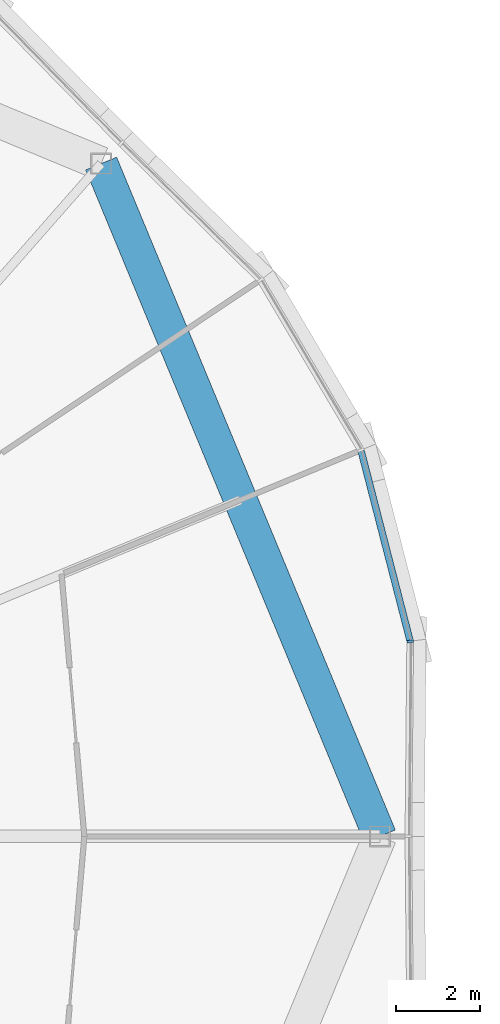
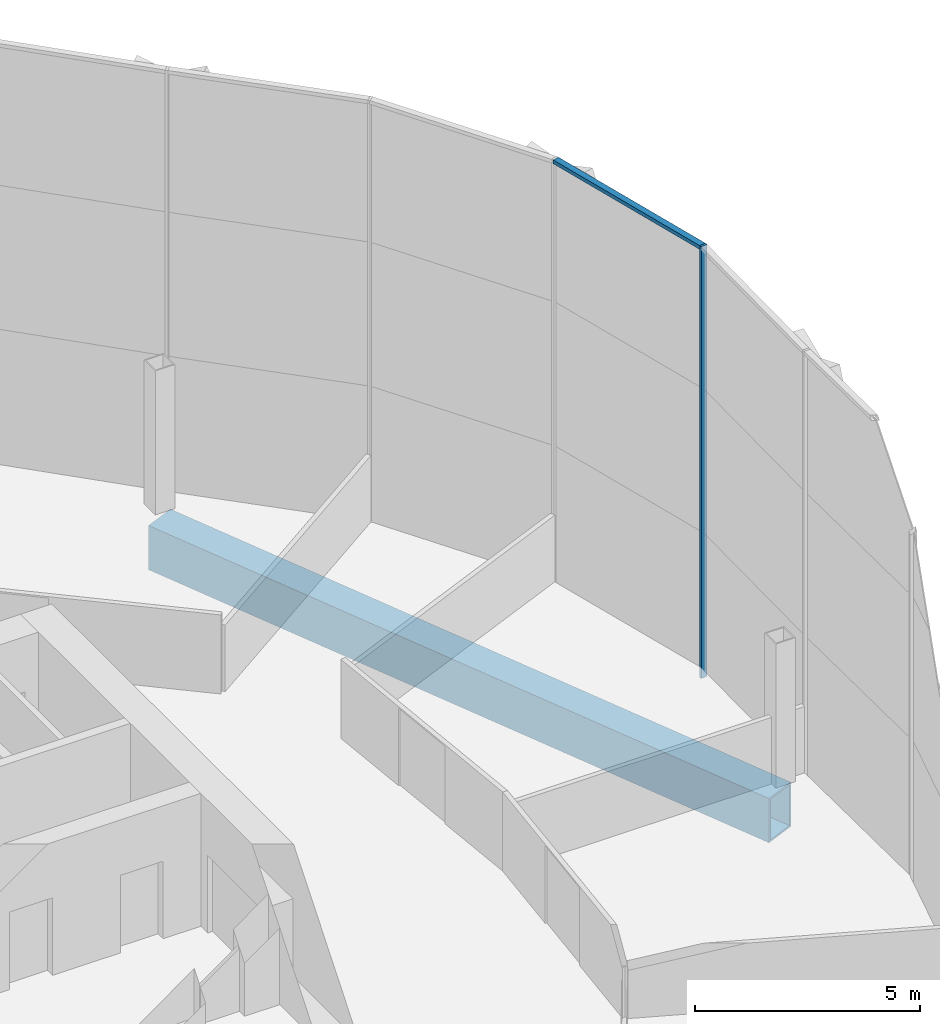
# One storey, part 7 of 26: 2 members, 1 beam, 1 element without a shape of its own.
"""IFC4 building model written with IfcOpenShell, lengths in metres."""

import ifcopenshell
import ifcopenshell.guid

model = None  # the IFC model being written
_history = None  # IfcOwnerHistory: only IFC2X3 demands one
_inside = {}  # id of a spatial element -> (the spatial element, [elements in it])
_under = {}  # id of a project, library or spatial element -> (it, [spatial elements below it])
_declared = {}  # id of a project -> (the project, [libraries it declares])
_typed = {}  # id of a type object -> (the type object, [elements of that type])
_made_of = {}  # id of a material, layer set ... -> (it, [elements and type objects made of it])


def new_model(schema):
    """Start an empty IFC model of exactly this schema.

    Asked for "IFC4X3", IfcOpenShell would pick the latest addendum, in which some entities
    have other attributes; the version numbers below select the first issue.
    IFC2X3 requires an IfcOwnerHistory on every rooted entity: one is made here for all.
    """
    global model, _history
    if schema == "IFC4X3":
        model = ifcopenshell.file(schema_version=(4, 3, 0, 0))
    else:
        model = ifcopenshell.file(schema=schema)
    _inside.clear()
    _under.clear()
    _declared.clear()
    _typed.clear()
    _made_of.clear()
    _history = None
    if model.schema == "IFC2X3":
        org = make("IfcOrganization", Name="unknown")
        user = make(
            "IfcPersonAndOrganization",
            ThePerson=make("IfcPerson", FamilyName="unknown"),
            TheOrganization=org,
        )
        app = make(
            "IfcApplication",
            ApplicationDeveloper=org,
            Version="unknown",
            ApplicationFullName="unknown",
            ApplicationIdentifier="unknown",
        )
        _history = make(
            "IfcOwnerHistory",
            OwningUser=user,
            OwningApplication=app,
            ChangeAction="ADDED",
            CreationDate=0,
        )
    return model


def make(cls, **values):
    """One entity of the class cls with the attributes given. An attribute that is None is left unset."""
    return model.create_entity(
        cls, **{name: value for name, value in values.items() if value is not None}
    )


def rooted(cls, **values):
    """An entity with a GlobalId (a new one), such as an element, a storey or a relation."""
    return make(cls, GlobalId=ifcopenshell.guid.new(), OwnerHistory=_history, **values)


def si_unit(unit_type, name, prefix=None):
    """IfcSIUnit, for example si_unit("LENGTHUNIT", "METRE", prefix="MILLI")."""
    return make("IfcSIUnit", UnitType=unit_type, Prefix=prefix, Name=name)


def assignment(units):
    """IfcUnitAssignment: the units of a project."""
    return None if units is None else make("IfcUnitAssignment", Units=units)


def point(xyz):
    """IfcCartesianPoint."""
    return None if xyz is None else make("IfcCartesianPoint", Coordinates=xyz)


def direction(xyz):
    """IfcDirection."""
    return None if xyz is None else make("IfcDirection", DirectionRatios=xyz)


def frame(location, z_axis=None, x_axis=None):
    """IfcAxis2Placement3D, a coordinate frame: its origin and axes. An axis left out is left unset."""
    return make(
        "IfcAxis2Placement3D",
        Location=point(location),
        Axis=direction(z_axis),
        RefDirection=direction(x_axis),
    )


def frame_2d(location, x_axis=None):
    """IfcAxis2Placement2D, a coordinate frame in the plane: its origin and x axis."""
    return make(
        "IfcAxis2Placement2D", Location=point(location), RefDirection=direction(x_axis)
    )


def origin():
    """The frame at (0, 0, 0) with its axes left unset."""
    return frame((0.0, 0.0, 0.0))


def origin_2d():
    """The frame at (0, 0) in the plane with its x axis left unset."""
    return frame_2d((0.0, 0.0))


def place(relative_to, where):
    """IfcLocalPlacement: puts the frame where relative to a parent placement (None: the world)."""
    return make(
        "IfcLocalPlacement", PlacementRelTo=relative_to, RelativePlacement=where
    )


def context(
    kind, dimensions, precision=None, world=None, true_north=None, identifier=None
):
    """IfcGeometricRepresentationContext, for example the 3D "Model" context."""
    return make(
        "IfcGeometricRepresentationContext",
        ContextIdentifier=identifier,
        ContextType=kind,
        CoordinateSpaceDimension=dimensions,
        Precision=precision,
        WorldCoordinateSystem=world,
        TrueNorth=true_north,
    )


def subcontext(parent, identifier, kind, view, scale=None):
    """IfcGeometricRepresentationSubContext, for example "Body" below "Model"."""
    return make(
        "IfcGeometricRepresentationSubContext",
        ContextIdentifier=identifier,
        ContextType=kind,
        ParentContext=parent,
        TargetScale=scale,
        TargetView=view,
    )


def project(units=None, contexts=None):
    """IfcProject with its units and contexts."""
    return rooted(
        "IfcProject",
        Name="project",
        RepresentationContexts=contexts,
        UnitsInContext=assignment(units),
    )


def spatial(cls, under=None, at=None, **own):
    """A site, building, storey or space (cls), placed at a placement, below another one or the project."""
    s = rooted(cls, ObjectPlacement=at, **own)
    if under is not None:
        _under.setdefault(under.id(), (under, []))[1].append(s)
    return s


def profile(cls, at=None, kind="AREA", **sizes):
    """A parametric profile (cls). Its sizes go by their IFC names, for example OverallWidth=200.0."""
    return make(cls, ProfileType=kind, Position=at, **sizes)


def rectangle(**sizes):
    """IfcRectangleProfileDef."""
    return profile("IfcRectangleProfileDef", **sizes)


def hollow_rectangle(**sizes):
    """IfcRectangleHollowProfileDef."""
    return profile("IfcRectangleHollowProfileDef", **sizes)


def extrude(swept, where, along, depth):
    """IfcExtrudedAreaSolid: the profile swept, set in the frame where, extruded along a direction by depth."""
    return make(
        "IfcExtrudedAreaSolid",
        SweptArea=swept,
        Position=where,
        ExtrudedDirection=direction(along),
        Depth=depth,
    )


def shape(context_of_items, identifier, shape_type, items):
    """IfcShapeRepresentation: the items that make up one representation, for example the "Body"."""
    return make(
        "IfcShapeRepresentation",
        ContextOfItems=context_of_items,
        RepresentationIdentifier=identifier,
        RepresentationType=shape_type,
        Items=items,
    )


def material(Name=None, Category=None):
    """IfcMaterial."""
    return make("IfcMaterial", Name=Name, Category=Category)


def material_profile(
    of_material, cross_section, Name=None, Category=None, Priority=None
):
    """IfcMaterialProfile: a cross section and its material."""
    return make(
        "IfcMaterialProfile",
        Name=Name,
        Material=of_material,
        Profile=cross_section,
        Priority=Priority,
        Category=Category,
    )


def profile_set(profiles, Name=None, composite=None):
    """IfcMaterialProfileSet."""
    return make(
        "IfcMaterialProfileSet",
        Name=Name,
        MaterialProfiles=profiles,
        CompositeProfile=composite,
    )


def made_of(thing, what):
    """Note that an element or type object is made of a material, layer set ...; save() writes the relation."""
    if what is not None:
        _made_of.setdefault(what.id(), (what, []))[1].append(thing)
    return thing


def type_object(cls, material=None, **own):
    """A type object (cls), such as IfcWallType, which elements share."""
    return made_of(rooted(cls, **own), material)


def element(
    cls,
    number,
    at=None,
    inside=None,
    cuts=None,
    type_object=None,
    material=None,
    context=None,
    identifier="Body",
    shape_type=None,
    held_by="IfcProductDefinitionShape",
    body=None,
    shapes=None,
    **own,
):
    """One element of the class cls, such as IfcWall. Its Tag is "e" and its number.

    at: its placement. inside: the storey or other place that contains it. cuts: it is an
    opening in that element (IfcRelVoidsElement). A single representation is given by context,
    identifier, shape_type and body (its items); several are given by shapes. held_by: the class
    of the entity that holds the representations. save() writes the other relations.
    """
    e = rooted(cls, Tag="e%d" % number, ObjectPlacement=at, **own)
    if body is not None:
        shapes = [shape(context, identifier, shape_type, body)]
    if shapes is not None:
        e.Representation = make(held_by, Representations=shapes)
    if inside is not None:
        _inside.setdefault(inside.id(), (inside, []))[1].append(e)
    if cuts is not None:
        rooted(
            "IfcRelVoidsElement", RelatingBuildingElement=cuts, RelatedOpeningElement=e
        )
    if type_object is not None:
        _typed.setdefault(type_object.id(), (type_object, []))[1].append(e)
    return made_of(e, material)


def aggregate(whole, parts):
    """IfcRelAggregates: a whole, such as a stair, and the parts it consists of."""
    return rooted("IfcRelAggregates", RelatingObject=whole, RelatedObjects=parts)


def save(model, path):
    """Write the relations noted so far, then the file.

    IfcRelAggregates (storeys below a building ...), IfcRelContainedInSpatialStructure (elements
    in a storey), IfcRelDefinesByType, IfcRelAssociatesMaterial and IfcRelDeclares: one each for
    every whole, place, type object, material and project.
    """
    for whole, parts in _under.values():
        aggregate(whole, parts)
    for where, things in _inside.values():
        rooted(
            "IfcRelContainedInSpatialStructure",
            RelatedElements=things,
            RelatingStructure=where,
        )
    for kind, things in _typed.values():
        rooted("IfcRelDefinesByType", RelatedObjects=things, RelatingType=kind)
    for what, things in _made_of.values():
        rooted("IfcRelAssociatesMaterial", RelatedObjects=things, RelatingMaterial=what)
    for by, libraries in _declared.values():
        rooted("IfcRelDeclares", RelatingContext=by, RelatedDefinitions=libraries)
    model.write(path)


model = new_model("IFC4")

# Units and contexts
model_context = context("Model", 3, precision=1e-05, world=origin(), true_north=direction((0.0, 1.0)))
body_context = subcontext(model_context, "Body", "Model", "MODEL_VIEW")
ifc_project = project(units=[si_unit("LENGTHUNIT", "METRE"), si_unit("AREAUNIT", "SQUARE_METRE"), si_unit("VOLUMEUNIT", "CUBIC_METRE"), si_unit("PLANEANGLEUNIT", "RADIAN"), si_unit("MASSUNIT", "GRAM", prefix="KILO")], contexts=[model_context])

# Site, building, storey
site_placement = place(None, origin())
site = spatial("IfcSite", under=ifc_project, at=site_placement, CompositionType="ELEMENT")
building_placement = place(site_placement, origin())
building = spatial("IfcBuilding", under=site, at=building_placement, Name="Ogive Gate Towers", CompositionType="ELEMENT")
storey_placement = place(building_placement, frame((0.0, 0.0, 87.89990234375)))
storey = spatial("IfcBuildingStorey", under=building, at=storey_placement, Name="L20", CompositionType="ELEMENT", Elevation=87.89990234375)

# Beam
ifc_material_1 = material(Name="Steel SM460", Category="steel")
ifc_material_profile_1 = material_profile(ifc_material_1, hollow_rectangle(XDim=0.800048828125, YDim=1.199951171875, WallThickness=0.050048828125, at=origin_2d()), Name="BX 1200x800x50")
ifc_profile_set_1 = profile_set([ifc_material_profile_1], Name="Steel SM460")
beam_type = type_object("IfcBeamType", Name="Edge girder BX 1200x800x50", PredefinedType="BEAM", material=ifc_profile_set_1)
beam_placement = place(storey_placement, frame((-13.330078125, 0.0, -0.89990234375), z_axis=(-0.382685254414, 0.923878777792, 0.0), x_axis=(-0.923878777792, -0.382685254414, 0.0)))
element("IfcBeam", 1, at=beam_placement, inside=storey, type_object=beam_type, Name="T1/L20/SBM020", PredefinedType="BEAM", context=body_context, shape_type="SweptSolid", body=[
    extrude(hollow_rectangle(XDim=0.800048828125, YDim=1.199951171875, WallThickness=0.050048828125, at=origin_2d()), origin(), (0.0, 0.0, 1.0), 17.350830078125),
])

# Curtain wall, members
ifc_material_2 = material(Name="Pale metal aluminium", Category="aluminium")
curtain_wall_type = type_object("IfcCurtainWallType", Name="Tower unitised wall, low zone", PredefinedType="NOTDEFINED", material=ifc_material_2)
curtain_wall_placement = place(storey_placement, origin())
curtain_wall = element("IfcCurtainWall", 2, at=curtain_wall_placement, inside=storey, type_object=curtain_wall_type, Name="CW1 T1 ECW01", PredefinedType="NOTDEFINED")
ifc_material_profile_2 = material_profile(ifc_material_2, rectangle(XDim=0.159912109375, YDim=0.06005859375, at=origin_2d()), Name="60 x 160 aluminium box")
ifc_profile_set_2 = profile_set([ifc_material_profile_2], Name="Pale metal aluminium")
member_type_1 = type_object("IfcMemberType", Name="Tower unitised wall, low zone mullion 60 x 160", PredefinedType="MULLION", material=ifc_profile_set_2)
member_1_placement = place(storey_placement, frame((-12.6064453125, 4.647216796875, -0.2998046875), z_axis=(0.0, 0.0, 1.0), x_axis=(0.992647900348, 0.121037787217, 0.0)))
member_1 = element("IfcMember", 3, at=member_1_placement, type_object=member_type_1, Name="CW1 mullion", PredefinedType="MULLION", context=body_context, shape_type="SweptSolid", body=[
    extrude(rectangle(XDim=0.159912109375, YDim=0.06005859375, at=origin_2d()), origin(), (0.0, 0.0, 1.0), 11.699951171875),
])
ifc_material_profile_3 = material_profile(ifc_material_2, rectangle(XDim=0.159912109375, YDim=0.10009765625, at=origin_2d()), Name="100 x 160 aluminium box")
ifc_profile_set_3 = profile_set([ifc_material_profile_3], Name="Pale metal aluminium")
member_type_2 = type_object("IfcMemberType", Name="Tower unitised wall, low zone transom 100 x 160", PredefinedType="USERDEFINED", material=ifc_profile_set_3)
member_2_placement = place(storey_placement, frame((-12.61328125, 4.673583984375, 11.35009765625), z_axis=(-0.249396942248, 0.968401345103, 0.0), x_axis=(-0.968401345103, -0.249396942248, 0.0)))
member_2 = element("IfcMember", 4, at=member_2_placement, type_object=member_type_2, Name="CW1 transom", ObjectType="TRANSOM", PredefinedType="USERDEFINED", context=body_context, shape_type="SweptSolid", body=[
    extrude(rectangle(XDim=0.159912109375, YDim=0.10009765625, at=origin_2d()), origin(), (0.0, 0.0, 1.0), 4.65087890625),
])
aggregate(curtain_wall, [member_1, member_2])

save(model, "model.ifc")
